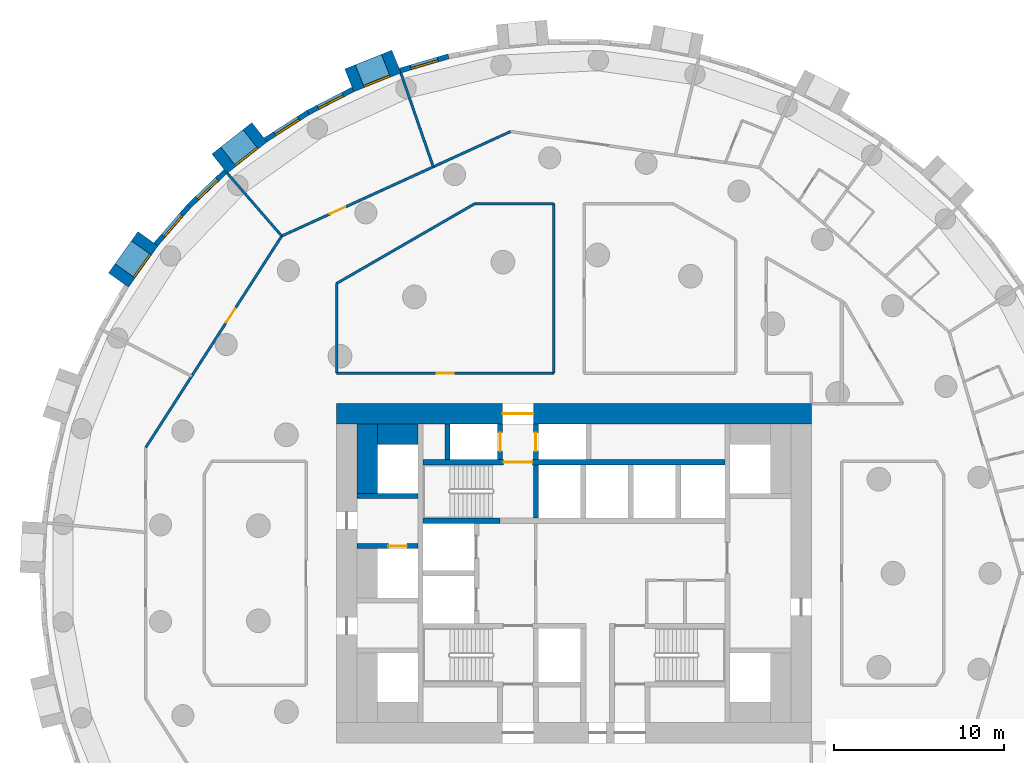
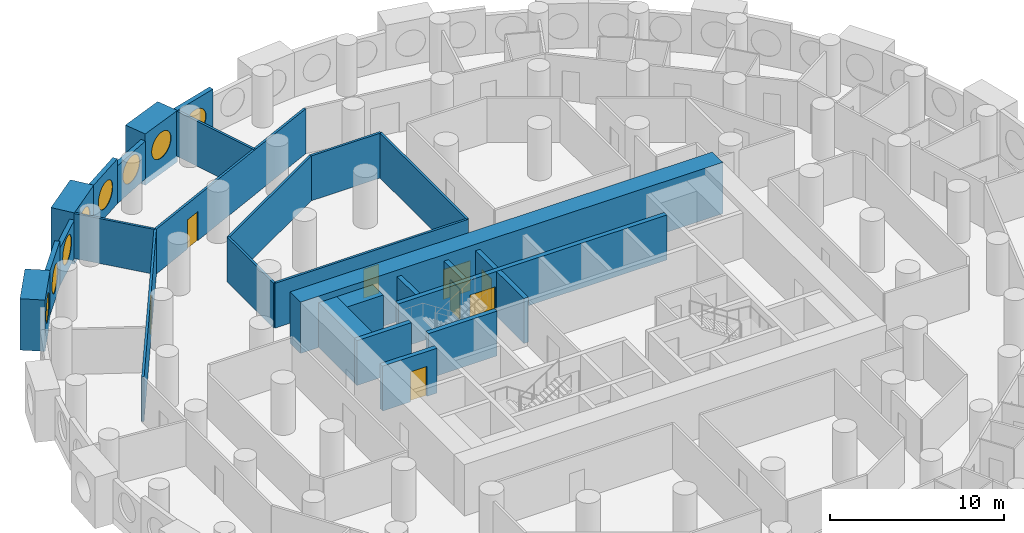
# One storey, part 7 of 12: 28 walls, 8 doors, 8 windows, 16 openings.
"""IFC4 building model written with IfcOpenShell, lengths in metres."""

import ifcopenshell
import ifcopenshell.guid

model = None  # the IFC model being written
_history = None  # IfcOwnerHistory: only IFC2X3 demands one
_inside = {}  # id of a spatial element -> (the spatial element, [elements in it])
_under = {}  # id of a project, library or spatial element -> (it, [spatial elements below it])
_declared = {}  # id of a project -> (the project, [libraries it declares])
_typed = {}  # id of a type object -> (the type object, [elements of that type])
_made_of = {}  # id of a material, layer set ... -> (it, [elements and type objects made of it])


def new_model(schema):
    """Start an empty IFC model of exactly this schema.

    Asked for "IFC4X3", IfcOpenShell would pick the latest addendum, in which some entities
    have other attributes; the version numbers below select the first issue.
    IFC2X3 requires an IfcOwnerHistory on every rooted entity: one is made here for all.
    """
    global model, _history
    if schema == "IFC4X3":
        model = ifcopenshell.file(schema_version=(4, 3, 0, 0))
    else:
        model = ifcopenshell.file(schema=schema)
    _inside.clear()
    _under.clear()
    _declared.clear()
    _typed.clear()
    _made_of.clear()
    _history = None
    if model.schema == "IFC2X3":
        org = make("IfcOrganization", Name="unknown")
        user = make(
            "IfcPersonAndOrganization",
            ThePerson=make("IfcPerson", FamilyName="unknown"),
            TheOrganization=org,
        )
        app = make(
            "IfcApplication",
            ApplicationDeveloper=org,
            Version="unknown",
            ApplicationFullName="unknown",
            ApplicationIdentifier="unknown",
        )
        _history = make(
            "IfcOwnerHistory",
            OwningUser=user,
            OwningApplication=app,
            ChangeAction="ADDED",
            CreationDate=0,
        )
    return model


def make(cls, **values):
    """One entity of the class cls with the attributes given. An attribute that is None is left unset."""
    return model.create_entity(
        cls, **{name: value for name, value in values.items() if value is not None}
    )


def rooted(cls, **values):
    """An entity with a GlobalId (a new one), such as an element, a storey or a relation."""
    return make(cls, GlobalId=ifcopenshell.guid.new(), OwnerHistory=_history, **values)


def si_unit(unit_type, name, prefix=None):
    """IfcSIUnit, for example si_unit("LENGTHUNIT", "METRE", prefix="MILLI")."""
    return make("IfcSIUnit", UnitType=unit_type, Prefix=prefix, Name=name)


def assignment(units):
    """IfcUnitAssignment: the units of a project."""
    return None if units is None else make("IfcUnitAssignment", Units=units)


def point(xyz):
    """IfcCartesianPoint."""
    return None if xyz is None else make("IfcCartesianPoint", Coordinates=xyz)


def direction(xyz):
    """IfcDirection."""
    return None if xyz is None else make("IfcDirection", DirectionRatios=xyz)


def frame(location, z_axis=None, x_axis=None):
    """IfcAxis2Placement3D, a coordinate frame: its origin and axes. An axis left out is left unset."""
    return make(
        "IfcAxis2Placement3D",
        Location=point(location),
        Axis=direction(z_axis),
        RefDirection=direction(x_axis),
    )


def frame_2d(location, x_axis=None):
    """IfcAxis2Placement2D, a coordinate frame in the plane: its origin and x axis."""
    return make(
        "IfcAxis2Placement2D", Location=point(location), RefDirection=direction(x_axis)
    )


def origin():
    """The frame at (0, 0, 0) with its axes left unset."""
    return frame((0.0, 0.0, 0.0))


def origin_2d():
    """The frame at (0, 0) in the plane with its x axis left unset."""
    return frame_2d((0.0, 0.0))


def place(relative_to, where):
    """IfcLocalPlacement: puts the frame where relative to a parent placement (None: the world)."""
    return make(
        "IfcLocalPlacement", PlacementRelTo=relative_to, RelativePlacement=where
    )


def context(
    kind, dimensions, precision=None, world=None, true_north=None, identifier=None
):
    """IfcGeometricRepresentationContext, for example the 3D "Model" context."""
    return make(
        "IfcGeometricRepresentationContext",
        ContextIdentifier=identifier,
        ContextType=kind,
        CoordinateSpaceDimension=dimensions,
        Precision=precision,
        WorldCoordinateSystem=world,
        TrueNorth=true_north,
    )


def subcontext(parent, identifier, kind, view, scale=None):
    """IfcGeometricRepresentationSubContext, for example "Body" below "Model"."""
    return make(
        "IfcGeometricRepresentationSubContext",
        ContextIdentifier=identifier,
        ContextType=kind,
        ParentContext=parent,
        TargetScale=scale,
        TargetView=view,
    )


def project(units=None, contexts=None):
    """IfcProject with its units and contexts."""
    return rooted(
        "IfcProject",
        Name="project",
        RepresentationContexts=contexts,
        UnitsInContext=assignment(units),
    )


def spatial(cls, under=None, at=None, **own):
    """A site, building, storey or space (cls), placed at a placement, below another one or the project."""
    s = rooted(cls, ObjectPlacement=at, **own)
    if under is not None:
        _under.setdefault(under.id(), (under, []))[1].append(s)
    return s


def profile(cls, at=None, kind="AREA", **sizes):
    """A parametric profile (cls). Its sizes go by their IFC names, for example OverallWidth=200.0."""
    return make(cls, ProfileType=kind, Position=at, **sizes)


def rectangle(**sizes):
    """IfcRectangleProfileDef."""
    return profile("IfcRectangleProfileDef", **sizes)


def circle(**sizes):
    """IfcCircleProfileDef."""
    return profile("IfcCircleProfileDef", **sizes)


def extrude(swept, where, along, depth):
    """IfcExtrudedAreaSolid: the profile swept, set in the frame where, extruded along a direction by depth."""
    return make(
        "IfcExtrudedAreaSolid",
        SweptArea=swept,
        Position=where,
        ExtrudedDirection=direction(along),
        Depth=depth,
    )


def shape(context_of_items, identifier, shape_type, items):
    """IfcShapeRepresentation: the items that make up one representation, for example the "Body"."""
    return make(
        "IfcShapeRepresentation",
        ContextOfItems=context_of_items,
        RepresentationIdentifier=identifier,
        RepresentationType=shape_type,
        Items=items,
    )


def material(Name=None, Category=None):
    """IfcMaterial."""
    return make("IfcMaterial", Name=Name, Category=Category)


def layer(
    of_material, thickness, ventilated=None, Name=None, Category=None, Priority=None
):
    """IfcMaterialLayer: one layer of a wall or slab, of a material (None: an air gap)."""
    return make(
        "IfcMaterialLayer",
        Material=of_material,
        LayerThickness=thickness,
        IsVentilated=ventilated,
        Name=Name,
        Category=Category,
        Priority=Priority,
    )


def layer_set(layers, Name=None):
    """IfcMaterialLayerSet."""
    return make("IfcMaterialLayerSet", MaterialLayers=layers, LayerSetName=Name)


def made_of(thing, what):
    """Note that an element or type object is made of a material, layer set ...; save() writes the relation."""
    if what is not None:
        _made_of.setdefault(what.id(), (what, []))[1].append(thing)
    return thing


def type_object(cls, material=None, **own):
    """A type object (cls), such as IfcWallType, which elements share."""
    return made_of(rooted(cls, **own), material)


def element(
    cls,
    number,
    at=None,
    inside=None,
    cuts=None,
    type_object=None,
    material=None,
    context=None,
    identifier="Body",
    shape_type=None,
    held_by="IfcProductDefinitionShape",
    body=None,
    shapes=None,
    **own,
):
    """One element of the class cls, such as IfcWall. Its Tag is "e" and its number.

    at: its placement. inside: the storey or other place that contains it. cuts: it is an
    opening in that element (IfcRelVoidsElement). A single representation is given by context,
    identifier, shape_type and body (its items); several are given by shapes. held_by: the class
    of the entity that holds the representations. save() writes the other relations.
    """
    e = rooted(cls, Tag="e%d" % number, ObjectPlacement=at, **own)
    if body is not None:
        shapes = [shape(context, identifier, shape_type, body)]
    if shapes is not None:
        e.Representation = make(held_by, Representations=shapes)
    if inside is not None:
        _inside.setdefault(inside.id(), (inside, []))[1].append(e)
    if cuts is not None:
        rooted(
            "IfcRelVoidsElement", RelatingBuildingElement=cuts, RelatedOpeningElement=e
        )
    if type_object is not None:
        _typed.setdefault(type_object.id(), (type_object, []))[1].append(e)
    return made_of(e, material)


def fill(opening, filler):
    """IfcRelFillsElement: the door or window that sits in an opening."""
    return rooted(
        "IfcRelFillsElement",
        RelatingOpeningElement=opening,
        RelatedBuildingElement=filler,
    )


def aggregate(whole, parts):
    """IfcRelAggregates: a whole, such as a stair, and the parts it consists of."""
    return rooted("IfcRelAggregates", RelatingObject=whole, RelatedObjects=parts)


def save(model, path):
    """Write the relations noted so far, then the file.

    IfcRelAggregates (storeys below a building ...), IfcRelContainedInSpatialStructure (elements
    in a storey), IfcRelDefinesByType, IfcRelAssociatesMaterial and IfcRelDeclares: one each for
    every whole, place, type object, material and project.
    """
    for whole, parts in _under.values():
        aggregate(whole, parts)
    for where, things in _inside.values():
        rooted(
            "IfcRelContainedInSpatialStructure",
            RelatedElements=things,
            RelatingStructure=where,
        )
    for kind, things in _typed.values():
        rooted("IfcRelDefinesByType", RelatedObjects=things, RelatingType=kind)
    for what, things in _made_of.values():
        rooted("IfcRelAssociatesMaterial", RelatedObjects=things, RelatingMaterial=what)
    for by, libraries in _declared.values():
        rooted("IfcRelDeclares", RelatingContext=by, RelatedDefinitions=libraries)
    model.write(path)


model = new_model("IFC4")

# Units and contexts
model_context = context("Model", 3, precision=1e-05, world=origin(), true_north=direction((0.0, 1.0)))
body_context = subcontext(model_context, "Body", "Model", "MODEL_VIEW")
ifc_project = project(units=[si_unit("LENGTHUNIT", "METRE"), si_unit("AREAUNIT", "SQUARE_METRE"), si_unit("VOLUMEUNIT", "CUBIC_METRE"), si_unit("PLANEANGLEUNIT", "RADIAN"), si_unit("MASSUNIT", "GRAM", prefix="KILO")], contexts=[model_context])

# Site, building, storey
site_placement = place(None, origin())
site = spatial("IfcSite", under=ifc_project, at=site_placement, CompositionType="ELEMENT")
building_placement = place(site_placement, origin())
building = spatial("IfcBuilding", under=site, at=building_placement, Name="Tracery Tower", CompositionType="ELEMENT")
storey_placement = place(building_placement, frame((0.0, 0.0, 78.60009765625)))
storey = spatial("IfcBuildingStorey", under=building, at=storey_placement, Name="L19", CompositionType="ELEMENT", Elevation=78.60009765625)

# Walls
ifc_material_1 = material(Name="Concrete C60/75", Category="concrete")
ifc_layer_1 = layer(ifc_material_1, 1.199951171875)
ifc_layer_set_1 = layer_set([ifc_layer_1], Name="Core strip wall 1200 C60")
wall_type_1 = type_object("IfcWallType", Name="Core strip wall 1200 C60", PredefinedType="SOLIDWALL", material=ifc_layer_set_1)
wall_1_placement = place(storey_placement, frame((-12.199951171875, 4.699951171875, 0.0), z_axis=(0.0, 0.0, 1.0), x_axis=(0.0, 1.0, 0.0)))
element("IfcWall", 1, at=wall_1_placement, inside=storey, type_object=wall_type_1, Name="L19 wing strip -1 4.55", PredefinedType="SOLIDWALL", context=body_context, shape_type="SweptSolid", body=[
    extrude(rectangle(XDim=4.10009765625, YDim=1.199951171875, at=frame_2d((2.050048828125, 0.0))), origin(), (0.0, 0.0, 1.0), 3.14990234375),
])
wall_2_placement = place(storey_placement, frame((-11.60009765625, 8.199951171875, 0.0), z_axis=(0.0, 0.0, 1.0), x_axis=(1.0, 0.0, 0.0)))
element("IfcWall", 2, at=wall_2_placement, inside=storey, type_object=wall_type_1, Name="L19 wing corner -1 +8.2", PredefinedType="SOLIDWALL", context=body_context, shape_type="SweptSolid", body=[
    extrude(rectangle(XDim=2.400146484375, YDim=1.199951171875, at=frame_2d((1.2001953125, 0.0))), origin(), (0.0, 0.0, 1.0), 3.14990234375),
])

# Wall, opening, door
ifc_material_2 = material(Name="Concrete C60/75", Category="concrete")
ifc_layer_2 = layer(ifc_material_2, 1.199951171875)
ifc_layer_set_2 = layer_set([ifc_layer_2], Name="Core wall 1200 C60")
wall_type_2 = type_object("IfcWallType", Name="Core wall 1200 C60", PredefinedType="SOLIDWALL", material=ifc_layer_set_2)
wall_3_placement = place(storey_placement, frame((-14.0, 9.39990234375, 0.0), z_axis=(0.0, 0.0, 1.0), x_axis=(1.0, 0.0, 0.0)))
wall_3 = element("IfcWall", 3, at=wall_3_placement, inside=storey, type_object=wall_type_2, Name="L19 outer N", PredefinedType="SOLIDWALL", context=body_context, shape_type="SweptSolid", body=[
    extrude(rectangle(XDim=28.0, YDim=1.199951171875, at=frame_2d((14.0, 0.0))), origin(), (0.0, 0.0, 1.0), 3.599853515625),
])
opening_1_placement = place(wall_3_placement, frame((9.800048828125, 0.0, 0.0)))
opening_1 = element("IfcOpeningElement", 4, at=opening_1_placement, cuts=wall_3, Name="Opening KD13", PredefinedType="OPENING", context=body_context, shape_type="SweptSolid", body=[
    extrude(rectangle(XDim=1.800048828125, YDim=2.10009765625, at=frame_2d((0.89990234375, 1.050048828125))), frame((0.0, 0.60009765625, 0.0), z_axis=(0.0, -1.0, 0.0), x_axis=(1.0, 0.0, 0.0)), (0.0, 0.0, 1.0), 1.199951171875),
])
ifc_material_3 = material(Name="Steel fire door", Category="steel")
door_type_1 = type_object("IfcDoorType", Name="Core exit door 1800 double", OperationType="NOTDEFINED", PredefinedType="DOOR", material=ifc_material_3)
door_1_placement = place(opening_1_placement, origin())
door_1 = element("IfcDoor", 5, at=door_1_placement, inside=storey, type_object=door_type_1, Name="Core exit door", OperationType="DOUBLE_DOOR_SINGLE_SWING", OverallHeight=2.10009765625, OverallWidth=1.800048828125, PredefinedType="DOOR", context=body_context, shape_type="SweptSolid", body=[
    extrude(rectangle(XDim=1.800048828125, YDim=2.10009765625, at=frame_2d((0.89990234375, 1.050048828125))), frame((0.0, 0.02490234375, 0.0), z_axis=(0.0, -1.0, 0.0), x_axis=(1.0, 0.0, 0.0)), (0.0, 0.0, 1.0), 0.050048828125),
])
fill(opening_1, door_1)

# Wall, opening, window
ifc_material_4 = material(Name="Precast concrete C50/60", Category="concrete")
ifc_layer_3 = layer(ifc_material_4, 1.449951171875)
ifc_layer_set_3 = layer_set([ifc_layer_3], Name="Deep-set bay unit 3000 x 3600, slab edge 450")
wall_type_3 = type_object("IfcWallType", Name="Deep-set bay unit 3000 x 3600, slab edge 450", PredefinedType="ELEMENTEDWALL", material=ifc_layer_set_3)
wall_4_placement = place(storey_placement, frame((-10.46875, 30.185302734375, -0.4501953125), z_axis=(0.0, 0.0, 1.0), x_axis=(-0.928358776184, -0.371685327504, 0.0)))
wall_4 = element("IfcWall", 6, at=wall_4_placement, inside=storey, type_object=wall_type_3, Name="Deep-set bay unit 21 at L19", PredefinedType="ELEMENTEDWALL", context=body_context, shape_type="SweptSolid", body=[
    extrude(rectangle(XDim=2.999755859375, YDim=1.449951171875, at=frame_2d((1.5, 0.0))), origin(), (0.0, 0.0, 1.0), 3.60009765625),
])
opening_2_placement = place(wall_4_placement, frame((1.5, 0.0, 2.0)))
opening_2 = element("IfcOpeningElement", 7, at=opening_2_placement, cuts=wall_4, Name="Opening WN1", PredefinedType="OPENING", context=body_context, shape_type="SweptSolid", body=[
    extrude(circle(Radius=0.9000244140625, at=origin_2d()), frame((0.0, 0.73486328125, 0.0), z_axis=(0.0, -1.0, 0.0), x_axis=(1.0, 0.0, 0.0)), (0.0, 0.0, 1.0), 1.469970703125),
])
ifc_material_5 = material(Name="Aluminium frame with tinted double glazing", Category="aluminium")
window_type = type_object("IfcWindowType", Name="Round window 1800", PartitioningType="SINGLE_PANEL", PredefinedType="WINDOW", material=ifc_material_5)
window_1_placement = place(opening_2_placement, origin())
window_1 = element("IfcWindow", 8, at=window_1_placement, inside=storey, type_object=window_type, Name="Round window 21 at L19", OverallHeight=1.800048828125, OverallWidth=1.800048828125, PartitioningType="SINGLE_PANEL", PredefinedType="WINDOW", context=body_context, shape_type="SweptSolid", body=[
    extrude(circle(Radius=0.9000244140625, at=origin_2d()), frame((0.0, 0.69482421875, 0.0), z_axis=(0.0, -1.0, 0.0), x_axis=(1.0, 0.0, 0.0)), (0.0, 0.0, 1.0), 0.10009765625),
])
fill(opening_2, window_1)

wall_5_placement = place(storey_placement, frame((-18.548828125, 26.01318359375, -0.4501953125), z_axis=(0.0, 0.0, 1.0), x_axis=(-0.786049992888, -0.618162930529, 0.0)))
wall_5 = element("IfcWall", 9, at=wall_5_placement, inside=storey, type_object=wall_type_3, Name="Deep-set bay unit 24 at L19", PredefinedType="ELEMENTEDWALL", context=body_context, shape_type="SweptSolid", body=[
    extrude(rectangle(XDim=3.0, YDim=1.449951171875, at=frame_2d((1.5, 0.0))), origin(), (0.0, 0.0, 1.0), 3.60009765625),
])
opening_3_placement = place(wall_5_placement, frame((1.5, 0.0, 2.0)))
opening_3 = element("IfcOpeningElement", 10, at=opening_3_placement, cuts=wall_5, Name="Opening WN1", PredefinedType="OPENING", context=body_context, shape_type="SweptSolid", body=[
    extrude(circle(Radius=0.9000244140625, at=origin_2d()), frame((0.0, 0.73486328125, 0.0), z_axis=(0.0, -1.0, 0.0), x_axis=(1.0, 0.0, 0.0)), (0.0, 0.0, 1.0), 1.469970703125),
])
window_2_placement = place(opening_3_placement, origin())
window_2 = element("IfcWindow", 11, at=window_2_placement, inside=storey, type_object=window_type, Name="Round window 24 at L19", OverallHeight=1.800048828125, OverallWidth=1.800048828125, PartitioningType="SINGLE_PANEL", PredefinedType="WINDOW", context=body_context, shape_type="SweptSolid", body=[
    extrude(circle(Radius=0.9000244140625, at=origin_2d()), frame((0.0, 0.69482421875, 0.0), z_axis=(0.0, -1.0, 0.0), x_axis=(1.0, 0.0, 0.0)), (0.0, 0.0, 1.0), 0.10009765625),
])
fill(opening_3, window_2)

wall_6_placement = place(storey_placement, frame((-25.126220703125, 19.733642578125, -0.4501953125), z_axis=(0.0, 0.0, 1.0), x_axis=(-0.580090570606, -0.814551981088, 0.0)))
wall_6 = element("IfcWall", 12, at=wall_6_placement, inside=storey, type_object=wall_type_3, Name="Deep-set bay unit 27 at L19", PredefinedType="ELEMENTEDWALL", context=body_context, shape_type="SweptSolid", body=[
    extrude(rectangle(XDim=3.0, YDim=1.449951171875, at=frame_2d((1.5, 0.0))), origin(), (0.0, 0.0, 1.0), 3.60009765625),
])
opening_4_placement = place(wall_6_placement, frame((1.5, 0.0, 2.0)))
opening_4 = element("IfcOpeningElement", 13, at=opening_4_placement, cuts=wall_6, Name="Opening WN1", PredefinedType="OPENING", context=body_context, shape_type="SweptSolid", body=[
    extrude(circle(Radius=0.9000244140625, at=origin_2d()), frame((0.0, 0.73486328125, 0.0), z_axis=(0.0, -1.0, 0.0), x_axis=(1.0, 0.0, 0.0)), (0.0, 0.0, 1.0), 1.469970703125),
])
window_3_placement = place(opening_4_placement, origin())
window_3 = element("IfcWindow", 14, at=window_3_placement, inside=storey, type_object=window_type, Name="Round window 27 at L19", OverallHeight=1.800048828125, OverallWidth=1.800048828125, PartitioningType="SINGLE_PANEL", PredefinedType="WINDOW", context=body_context, shape_type="SweptSolid", body=[
    extrude(circle(Radius=0.9000244140625, at=origin_2d()), frame((0.0, 0.69482421875, 0.0), z_axis=(0.0, -1.0, 0.0), x_axis=(1.0, 0.0, 0.0)), (0.0, 0.0, 1.0), 0.10009765625),
])
fill(opening_4, window_3)

ifc_material_6 = material(Name="Precast concrete C50/60", Category="concrete")
ifc_layer_4 = layer(ifc_material_6, 0.300048828125)
ifc_layer_set_4 = layer_set([ifc_layer_4], Name="Facade panel 3000 x 2650")
wall_type_4 = type_object("IfcWallType", Name="Facade panel 3000 x 2650", PredefinedType="SOLIDWALL", material=ifc_layer_set_4)
wall_7_placement = place(storey_placement, frame((-13.038818359375, 28.536376953125, 0.0), z_axis=(0.0, 0.0, 1.0), x_axis=(-0.888853225096, -0.4581920386, 0.0)))
wall_7 = element("IfcWall", 15, at=wall_7_placement, inside=storey, type_object=wall_type_4, Name="Facade panel 22 at L19", PredefinedType="SOLIDWALL", context=body_context, shape_type="SweptSolid", body=[
    extrude(rectangle(XDim=2.9794921875, YDim=0.300048828125, at=frame_2d((1.48974609375, 0.0))), origin(), (0.0, 0.0, 1.0), 2.64990234375),
])
opening_5_placement = place(wall_7_placement, frame((1.48974609375, 0.0, 1.5498046875)))
opening_5 = element("IfcOpeningElement", 16, at=opening_5_placement, cuts=wall_7, Name="Opening WN1", PredefinedType="OPENING", context=body_context, shape_type="SweptSolid", body=[
    extrude(circle(Radius=0.9000244140625, at=origin_2d()), frame((0.0, 0.159912109375, 0.0), z_axis=(0.0, -1.0, 0.0), x_axis=(1.0, 0.0, 0.0)), (0.0, 0.0, 1.0), 0.320068359375),
])
window_4_placement = place(opening_5_placement, origin())
window_4 = element("IfcWindow", 17, at=window_4_placement, inside=storey, type_object=window_type, Name="Round window 22 at L19", OverallHeight=1.800048828125, OverallWidth=1.800048828125, PartitioningType="SINGLE_PANEL", PredefinedType="WINDOW", context=body_context, shape_type="SweptSolid", body=[
    extrude(circle(Radius=0.9000244140625, at=origin_2d()), frame((0.0, 0.1201171875, 0.0), z_axis=(0.0, -1.0, 0.0), x_axis=(1.0, 0.0, 0.0)), (0.0, 0.0, 1.0), 0.10009765625),
])
fill(opening_5, window_4)

wall_8_placement = place(storey_placement, frame((-20.55029296875, 23.70703125, 0.0), z_axis=(0.0, 0.0, 1.0), x_axis=(-0.723744206617, -0.690068346896, 0.0)))
wall_8 = element("IfcWall", 18, at=wall_8_placement, inside=storey, type_object=wall_type_4, Name="Facade panel 25 at L19", PredefinedType="SOLIDWALL", context=body_context, shape_type="SweptSolid", body=[
    extrude(rectangle(XDim=2.979736328125, YDim=0.300048828125, at=frame_2d((1.48974609375, 0.0))), origin(), (0.0, 0.0, 1.0), 2.64990234375),
])
opening_6_placement = place(wall_8_placement, frame((1.48974609375, 0.0, 1.5498046875)))
opening_6 = element("IfcOpeningElement", 19, at=opening_6_placement, cuts=wall_8, Name="Opening WN1", PredefinedType="OPENING", context=body_context, shape_type="SweptSolid", body=[
    extrude(circle(Radius=0.9000244140625, at=origin_2d()), frame((0.0, 0.159912109375, 0.0), z_axis=(0.0, -1.0, 0.0), x_axis=(1.0, 0.0, 0.0)), (0.0, 0.0, 1.0), 0.320068359375),
])
window_5_placement = place(opening_6_placement, origin())
window_5 = element("IfcWindow", 20, at=window_5_placement, inside=storey, type_object=window_type, Name="Round window 25 at L19", OverallHeight=1.800048828125, OverallWidth=1.800048828125, PartitioningType="SINGLE_PANEL", PredefinedType="WINDOW", context=body_context, shape_type="SweptSolid", body=[
    extrude(circle(Radius=0.9000244140625, at=origin_2d()), frame((0.0, 0.1201171875, 0.0), z_axis=(0.0, -1.0, 0.0), x_axis=(1.0, 0.0, 0.0)), (0.0, 0.0, 1.0), 0.10009765625),
])
fill(opening_6, window_5)

ifc_material_7 = material(Name="Precast concrete C50/60", Category="concrete")
ifc_layer_5 = layer(ifc_material_7, 0.300048828125)
ifc_layer_set_5 = layer_set([ifc_layer_5], Name="Facade panel 3000 x 3150")
wall_type_5 = type_object("IfcWallType", Name="Facade panel 3000 x 3150", PredefinedType="SOLIDWALL", material=ifc_layer_set_5)
wall_9_placement = place(storey_placement, frame((-7.396728515625, 30.489990234375, 0.0), z_axis=(0.0, 0.0, 1.0), x_axis=(-0.959507586834, -0.28168278401, 0.0)))
wall_9 = element("IfcWall", 21, at=wall_9_placement, inside=storey, type_object=wall_type_5, Name="Facade panel 20 at L19", PredefinedType="SOLIDWALL", context=body_context, shape_type="SweptSolid", body=[
    extrude(rectangle(XDim=2.979736328125, YDim=0.300048828125, at=frame_2d((1.48974609375, 0.0))), origin(), (0.0, 0.0, 1.0), 3.14990234375),
])
opening_7_placement = place(wall_9_placement, frame((1.48974609375, 0.0, 1.5498046875)))
opening_7 = element("IfcOpeningElement", 22, at=opening_7_placement, cuts=wall_9, Name="Opening WN1", PredefinedType="OPENING", context=body_context, shape_type="SweptSolid", body=[
    extrude(circle(Radius=0.9000244140625, at=origin_2d()), frame((0.0, 0.159912109375, 0.0), z_axis=(0.0, -1.0, 0.0), x_axis=(1.0, 0.0, 0.0)), (0.0, 0.0, 1.0), 0.320068359375),
])
window_6_placement = place(opening_7_placement, origin())
window_6 = element("IfcWindow", 23, at=window_6_placement, inside=storey, type_object=window_type, Name="Round window 20 at L19", OverallHeight=1.800048828125, OverallWidth=1.800048828125, PartitioningType="SINGLE_PANEL", PredefinedType="WINDOW", context=body_context, shape_type="SweptSolid", body=[
    extrude(circle(Radius=0.9000244140625, at=origin_2d()), frame((0.0, 0.1201171875, 0.0), z_axis=(0.0, -1.0, 0.0), x_axis=(1.0, 0.0, 0.0)), (0.0, 0.0, 1.0), 0.10009765625),
])
fill(opening_7, window_6)

wall_10_placement = place(storey_placement, frame((-15.687255859375, 27.171142578125, 0.0), z_axis=(0.0, 0.0, 1.0), x_axis=(-0.84122372879, -0.540687190639, 0.0)))
wall_10 = element("IfcWall", 24, at=wall_10_placement, inside=storey, type_object=wall_type_5, Name="Facade panel 23 at L19", PredefinedType="SOLIDWALL", context=body_context, shape_type="SweptSolid", body=[
    extrude(rectangle(XDim=2.979736328125, YDim=0.300048828125, at=frame_2d((1.48974609375, 0.0))), origin(), (0.0, 0.0, 1.0), 3.14990234375),
])
opening_8_placement = place(wall_10_placement, frame((1.48974609375, 0.0, 1.5498046875)))
opening_8 = element("IfcOpeningElement", 25, at=opening_8_placement, cuts=wall_10, Name="Opening WN1", PredefinedType="OPENING", context=body_context, shape_type="SweptSolid", body=[
    extrude(circle(Radius=0.9000244140625, at=origin_2d()), frame((0.0, 0.159912109375, 0.0), z_axis=(0.0, -1.0, 0.0), x_axis=(1.0, 0.0, 0.0)), (0.0, 0.0, 1.0), 0.320068359375),
])
window_7_placement = place(opening_8_placement, origin())
window_7 = element("IfcWindow", 26, at=window_7_placement, inside=storey, type_object=window_type, Name="Round window 23 at L19", OverallHeight=1.800048828125, OverallWidth=1.800048828125, PartitioningType="SINGLE_PANEL", PredefinedType="WINDOW", context=body_context, shape_type="SweptSolid", body=[
    extrude(circle(Radius=0.9000244140625, at=origin_2d()), frame((0.0, 0.1201171875, 0.0), z_axis=(0.0, -1.0, 0.0), x_axis=(1.0, 0.0, 0.0)), (0.0, 0.0, 1.0), 0.10009765625),
])
fill(opening_8, window_7)

wall_11_placement = place(storey_placement, frame((-22.706787109375, 21.65087890625, 0.0), z_axis=(0.0, 0.0, 1.0), x_axis=(-0.654830712471, -0.755775587066, 0.0)))
wall_11 = element("IfcWall", 27, at=wall_11_placement, inside=storey, type_object=wall_type_5, Name="Facade panel 26 at L19", PredefinedType="SOLIDWALL", context=body_context, shape_type="SweptSolid", body=[
    extrude(rectangle(XDim=2.979736328125, YDim=0.300048828125, at=frame_2d((1.48974609375, 0.0))), origin(), (0.0, 0.0, 1.0), 3.14990234375),
])
opening_9_placement = place(wall_11_placement, frame((1.48974609375, 0.0, 1.5498046875)))
opening_9 = element("IfcOpeningElement", 28, at=opening_9_placement, cuts=wall_11, Name="Opening WN1", PredefinedType="OPENING", context=body_context, shape_type="SweptSolid", body=[
    extrude(circle(Radius=0.9000244140625, at=origin_2d()), frame((0.0, 0.159912109375, 0.0), z_axis=(0.0, -1.0, 0.0), x_axis=(1.0, 0.0, 0.0)), (0.0, 0.0, 1.0), 0.320068359375),
])
window_8_placement = place(opening_9_placement, origin())
window_8 = element("IfcWindow", 29, at=window_8_placement, inside=storey, type_object=window_type, Name="Round window 26 at L19", OverallHeight=1.800048828125, OverallWidth=1.800048828125, PartitioningType="SINGLE_PANEL", PredefinedType="WINDOW", context=body_context, shape_type="SweptSolid", body=[
    extrude(circle(Radius=0.9000244140625, at=origin_2d()), frame((0.0, 0.1201171875, 0.0), z_axis=(0.0, -1.0, 0.0), x_axis=(1.0, 0.0, 0.0)), (0.0, 0.0, 1.0), 0.10009765625),
])
fill(opening_9, window_8)

# Walls
ifc_material_8 = material(Name="Plasterboard on steel studs", Category="steel")
ifc_layer_6 = layer(ifc_material_8, 0.14990234375)
ifc_layer_set_6 = layer_set([ifc_layer_6], Name="Partition 150 acoustic unit wall")
wall_type_6 = type_object("IfcWallType", Name="Partition 150 acoustic unit wall", PredefinedType="PARTITIONING", material=ifc_layer_set_6)
wall_12_placement = place(storey_placement, frame((-10.2119140625, 29.507080078125, 0.0), z_axis=(0.0, 0.0, 1.0), x_axis=(0.32692444056, -0.94505048022, 0.0)))
element("IfcWall", 30, at=wall_12_placement, inside=storey, type_object=wall_type_6, Name="Unit wall RA5-080", PredefinedType="PARTITIONING", context=body_context, shape_type="SweptSolid", body=[
    extrude(rectangle(XDim=5.85693359375, YDim=0.14990234375, at=frame_2d((2.928466796875, 0.0))), origin(), (0.0, 0.0, 1.0), 3.14990234375),
])
wall_13_placement = place(storey_placement, frame((-20.447998046875, 23.597900390625, 0.0), z_axis=(0.0, 0.0, 1.0), x_axis=(0.654847179409, -0.755761319214, 0.0)))
element("IfcWall", 31, at=wall_13_placement, inside=storey, type_object=wall_type_6, Name="Unit wall RA5-081", PredefinedType="PARTITIONING", context=body_context, shape_type="SweptSolid", body=[
    extrude(rectangle(XDim=4.90625, YDim=0.14990234375, at=frame_2d((2.453125, 0.0))), origin(), (0.0, 0.0, 1.0), 3.14990234375),
])

# Wall, opening, door
ifc_material_9 = material(Name="Plasterboard on steel studs", Category="steel")
ifc_layer_7 = layer(ifc_material_9, 0.14990234375)
ifc_layer_set_7 = layer_set([ifc_layer_7], Name="Partition 150 corridor wall")
wall_type_7 = type_object("IfcWallType", Name="Partition 150 corridor wall", PredefinedType="PARTITIONING", material=ifc_layer_set_7)
wall_14_placement = place(storey_placement, frame((-14.00390625, 11.800048828125, 0.0), z_axis=(0.0, 0.0, 1.0), x_axis=(1.0, 0.0, 0.0)))
wall_14 = element("IfcWall", 32, at=wall_14_placement, inside=storey, type_object=wall_type_7, Name="Corridor wall RA5-001", PredefinedType="PARTITIONING", context=body_context, shape_type="SweptSolid", body=[
    extrude(rectangle(XDim=12.81591796875, YDim=0.14990234375, at=frame_2d((6.407958984375, 0.0))), origin(), (0.0, 0.0, 1.0), 3.14990234375),
])
opening_10_placement = place(wall_14_placement, frame((5.907958984375, 0.0, 0.0)))
opening_10 = element("IfcOpeningElement", 33, at=opening_10_placement, cuts=wall_14, Name="Opening RA5-01", PredefinedType="OPENING", context=body_context, shape_type="SweptSolid", body=[
    extrude(rectangle(XDim=1.0, YDim=2.0400390625, at=frame_2d((0.5, 1.02001953125))), frame((0.0, 0.074951171875, 0.0), z_axis=(0.0, -1.0, 0.0), x_axis=(1.0, 0.0, 0.0)), (0.0, 0.0, 1.0), 0.14990234375),
])
ifc_material_10 = material(Name="Timber door leaf", Category="wood")
door_type_2 = type_object("IfcDoorType", Name="Door communal room 1000", OperationType="NOTDEFINED", PredefinedType="DOOR", material=ifc_material_10)
door_2_placement = place(opening_10_placement, origin())
door_2 = element("IfcDoor", 34, at=door_2_placement, inside=storey, type_object=door_type_2, Name="Communal room door RA5-01", OperationType="SINGLE_SWING_RIGHT", OverallHeight=2.0400390625, OverallWidth=1.0, PredefinedType="DOOR", context=body_context, shape_type="SweptSolid", body=[
    extrude(rectangle(XDim=1.0, YDim=2.0400390625, at=frame_2d((0.5, 1.02001953125))), frame((0.0, 0.02490234375, 0.0), z_axis=(0.0, -1.0, 0.0), x_axis=(1.0, 0.0, 0.0)), (0.0, 0.0, 1.0), 0.050048828125),
])
fill(opening_10, door_2)

# Walls
wall_15_placement = place(storey_placement, frame((-1.19189453125, 11.800048828125, 0.0), z_axis=(0.0, 0.0, 1.0), x_axis=(0.0, 1.0, 0.0)))
element("IfcWall", 35, at=wall_15_placement, inside=storey, type_object=wall_type_7, Name="Corridor wall RA5-024", PredefinedType="PARTITIONING", context=body_context, shape_type="SweptSolid", body=[
    extrude(rectangle(XDim=10.001953125, YDim=0.14990234375, at=frame_2d((5.0009765625, 0.0))), origin(), (0.0, 0.0, 1.0), 3.14990234375),
])
wall_16_placement = place(storey_placement, frame((-5.842041015625, 21.802001953125, 0.0), z_axis=(0.0, 0.0, 1.0), x_axis=(1.0, 0.0, 0.0)))
element("IfcWall", 36, at=wall_16_placement, inside=storey, type_object=wall_type_7, Name="Corridor wall RA5-025", PredefinedType="PARTITIONING", context=body_context, shape_type="SweptSolid", body=[
    extrude(rectangle(XDim=4.650146484375, YDim=0.14990234375, at=frame_2d((2.3251953125, 0.0))), origin(), (0.0, 0.0, 1.0), 3.14990234375),
])
wall_17_placement = place(storey_placement, frame((-14.0, 17.092041015625, 0.0), z_axis=(0.0, 0.0, 1.0), x_axis=(0.86602719091, 0.499996904595, 0.0)))
element("IfcWall", 37, at=wall_17_placement, inside=storey, type_object=wall_type_7, Name="Corridor wall RA5-026", PredefinedType="PARTITIONING", context=body_context, shape_type="SweptSolid", body=[
    extrude(rectangle(XDim=9.419921875, YDim=0.14990234375, at=frame_2d((4.7099609375, 0.0))), origin(), (0.0, 0.0, 1.0), 3.14990234375),
])
wall_18_placement = place(storey_placement, frame((-14.0, 11.800048828125, 0.0), z_axis=(0.0, 0.0, 1.0), x_axis=(0.0, 1.0, 0.0)))
element("IfcWall", 38, at=wall_18_placement, inside=storey, type_object=wall_type_7, Name="Corridor wall RA5-027", PredefinedType="PARTITIONING", context=body_context, shape_type="SweptSolid", body=[
    extrude(rectangle(XDim=5.2919921875, YDim=0.14990234375, at=frame_2d((2.64599609375, 0.0))), origin(), (0.0, 0.0, 1.0), 3.14990234375),
])

# Wall, opening, door
wall_19_placement = place(storey_placement, frame((-17.235595703125, 19.89111328125, 0.0), z_axis=(0.0, 0.0, 1.0), x_axis=(0.909645678785, 0.415385049163, 0.0)))
wall_19 = element("IfcWall", 39, at=wall_19_placement, inside=storey, type_object=wall_type_7, Name="Corridor wall RA5-035", PredefinedType="PARTITIONING", context=body_context, shape_type="SweptSolid", body=[
    extrude(rectangle(XDim=14.829345703125, YDim=0.14990234375, at=frame_2d((7.41455078125, 0.0))), origin(), (0.0, 0.0, 1.0), 3.14990234375),
])
opening_11_placement = place(wall_19_placement, frame((3.114990234375, 0.0, 0.0)))
opening_11 = element("IfcOpeningElement", 40, at=opening_11_placement, cuts=wall_19, Name="Opening RA5-25", PredefinedType="OPENING", context=body_context, shape_type="SweptSolid", body=[
    extrude(rectangle(XDim=1.0, YDim=2.0400390625, at=frame_2d((0.5, 1.02001953125))), frame((0.0, 0.074951171875, 0.0), z_axis=(0.0, -1.0, 0.0), x_axis=(1.0, 0.0, 0.0)), (0.0, 0.0, 1.0), 0.14990234375),
])
door_3_placement = place(opening_11_placement, origin())
door_3 = element("IfcDoor", 41, at=door_3_placement, inside=storey, type_object=door_type_2, Name="Communal room door RA5-25", OperationType="SINGLE_SWING_LEFT", OverallHeight=2.0400390625, OverallWidth=1.0, PredefinedType="DOOR", context=body_context, shape_type="SweptSolid", body=[
    extrude(rectangle(XDim=1.0, YDim=2.0400390625, at=frame_2d((0.5, 1.02001953125))), frame((0.0, 0.02490234375, 0.0), z_axis=(0.0, -1.0, 0.0), x_axis=(1.0, 0.0, 0.0)), (0.0, 0.0, 1.0), 0.050048828125),
])
fill(opening_11, door_3)

wall_20_placement = place(storey_placement, frame((-25.2548828125, 7.416259765625, 0.0), z_axis=(0.0, 0.0, 1.0), x_axis=(0.540805851332, 0.841147449123, 0.0)))
wall_20 = element("IfcWall", 42, at=wall_20_placement, inside=storey, type_object=wall_type_7, Name="Corridor wall RA5-036", PredefinedType="PARTITIONING", context=body_context, shape_type="SweptSolid", body=[
    extrude(rectangle(XDim=14.829345703125, YDim=0.14990234375, at=frame_2d((7.41455078125, 0.0))), origin(), (0.0, 0.0, 1.0), 3.14990234375),
])
opening_12_placement = place(wall_20_placement, frame((8.75390625, 0.0, 0.0)))
opening_12 = element("IfcOpeningElement", 43, at=opening_12_placement, cuts=wall_20, Name="Opening RA5-26", PredefinedType="OPENING", context=body_context, shape_type="SweptSolid", body=[
    extrude(rectangle(XDim=1.0, YDim=2.0400390625, at=frame_2d((0.5, 1.02001953125))), frame((0.0, 0.074951171875, 0.0), z_axis=(0.0, -1.0, 0.0), x_axis=(1.0, 0.0, 0.0)), (0.0, 0.0, 1.0), 0.14990234375),
])
door_4_placement = place(opening_12_placement, origin())
door_4 = element("IfcDoor", 44, at=door_4_placement, inside=storey, type_object=door_type_2, Name="Communal room door RA5-26", OperationType="SINGLE_SWING_RIGHT", OverallHeight=2.0400390625, OverallWidth=1.0, PredefinedType="DOOR", context=body_context, shape_type="SweptSolid", body=[
    extrude(rectangle(XDim=1.0, YDim=2.0400390625, at=frame_2d((0.5, 1.02001953125))), frame((0.0, 0.02490234375, 0.0), z_axis=(0.0, -1.0, 0.0), x_axis=(1.0, 0.0, 0.0)), (0.0, 0.0, 1.0), 0.050048828125),
])
fill(opening_12, door_4)

# Wall
ifc_material_11 = material(Name="Concrete C60/75", Category="concrete")
ifc_layer_8 = layer(ifc_material_11, 0.300048828125)
ifc_layer_set_8 = layer_set([ifc_layer_8], Name="Shaft wall 300 C60")
wall_type_8 = type_object("IfcWallType", Name="Shaft wall 300 C60", PredefinedType="SOLIDWALL", material=ifc_layer_set_8)
wall_21_placement = place(storey_placement, frame((-7.449951171875, 6.699951171875, 0.0), z_axis=(0.0, 0.0, 1.0), x_axis=(0.0, 1.0, 0.0)))
element("IfcWall", 45, at=wall_21_placement, inside=storey, type_object=wall_type_8, Name="L19 LR sep -7.45", PredefinedType="SOLIDWALL", context=body_context, shape_type="SweptSolid", body=[
    extrude(rectangle(XDim=2.10009765625, YDim=0.300048828125, at=frame_2d((1.050048828125, 0.0))), origin(), (0.0, 0.0, 1.0), 3.14990234375),
])

# Wall, opening, door
wall_22_placement = place(storey_placement, frame((-4.35009765625, 6.699951171875, 0.0), z_axis=(0.0, 0.0, 1.0), x_axis=(0.0, 1.0, 0.0)))
wall_22 = element("IfcWall", 46, at=wall_22_placement, inside=storey, type_object=wall_type_8, Name="L19 LR sep -4.35", PredefinedType="SOLIDWALL", context=body_context, shape_type="SweptSolid", body=[
    extrude(rectangle(XDim=2.10009765625, YDim=0.300048828125, at=frame_2d((1.050048828125, 0.0))), origin(), (0.0, 0.0, 1.0), 3.14990234375),
])
opening_13_placement = place(wall_22_placement, frame((0.5, 0.0, 0.0)))
opening_13 = element("IfcOpeningElement", 47, at=opening_13_placement, cuts=wall_22, Name="Opening KD50", PredefinedType="OPENING", context=body_context, shape_type="SweptSolid", body=[
    extrude(rectangle(XDim=1.10009765625, YDim=2.10009765625, at=frame_2d((0.550048828125, 1.050048828125))), frame((0.0, 0.14990234375, 0.0), z_axis=(0.0, -1.0, 0.0), x_axis=(1.0, 0.0, 0.0)), (0.0, 0.0, 1.0), 0.300048828125),
])
ifc_material_12 = material(Name="Steel fire door", Category="steel")
door_type_3 = type_object("IfcDoorType", Name="Landing door 1100", OperationType="NOTDEFINED", PredefinedType="DOOR", material=ifc_material_12)
door_5_placement = place(opening_13_placement, origin())
door_5 = element("IfcDoor", 48, at=door_5_placement, inside=storey, type_object=door_type_3, Name="Landing door LR3", OperationType="SLIDING_TO_RIGHT", OverallHeight=2.10009765625, OverallWidth=1.10009765625, PredefinedType="DOOR", context=body_context, shape_type="SweptSolid", body=[
    extrude(rectangle(XDim=1.10009765625, YDim=2.10009765625, at=frame_2d((0.550048828125, 1.050048828125))), frame((0.0, 0.02490234375, 0.0), z_axis=(0.0, -1.0, 0.0), x_axis=(1.0, 0.0, 0.0)), (0.0, 0.0, 1.0), 0.050048828125),
])
fill(opening_13, door_5)

# Wall
wall_23_placement = place(storey_placement, frame((-12.800048828125, 4.550048828125, 0.0), z_axis=(0.0, 0.0, 1.0), x_axis=(1.0, 0.0, 0.0)))
element("IfcWall", 49, at=wall_23_placement, inside=storey, type_object=wall_type_8, Name="L19 wing shaft wall -1 +4.55", PredefinedType="SOLIDWALL", context=body_context, shape_type="SweptSolid", body=[
    extrude(rectangle(XDim=3.60009765625, YDim=0.300048828125, at=frame_2d((1.800048828125, 0.0))), origin(), (0.0, 0.0, 1.0), 3.14990234375),
])

# Wall, opening, door
wall_24_placement = place(storey_placement, frame((-12.800048828125, 1.60009765625, 0.0), z_axis=(0.0, 0.0, 1.0), x_axis=(1.0, 0.0, 0.0)))
wall_24 = element("IfcWall", 50, at=wall_24_placement, inside=storey, type_object=wall_type_8, Name="L19 wing shaft wall -1 +1.60", PredefinedType="SOLIDWALL", context=body_context, shape_type="SweptSolid", body=[
    extrude(rectangle(XDim=3.60009765625, YDim=0.300048828125, at=frame_2d((1.800048828125, 0.0))), origin(), (0.0, 0.0, 1.0), 3.14990234375),
])
opening_14_placement = place(wall_24_placement, frame((1.85009765625, 0.0, 0.0)))
opening_14 = element("IfcOpeningElement", 51, at=opening_14_placement, cuts=wall_24, Name="Opening KD50", PredefinedType="OPENING", context=body_context, shape_type="SweptSolid", body=[
    extrude(rectangle(XDim=1.10009765625, YDim=2.10009765625, at=frame_2d((0.550048828125, 1.050048828125))), frame((0.0, 0.14990234375, 0.0), z_axis=(0.0, -1.0, 0.0), x_axis=(1.0, 0.0, 0.0)), (0.0, 0.0, 1.0), 0.300048828125),
])
door_6_placement = place(opening_14_placement, origin())
door_6 = element("IfcDoor", 52, at=door_6_placement, inside=storey, type_object=door_type_3, Name="Landing door LR1", OperationType="SLIDING_TO_RIGHT", OverallHeight=2.10009765625, OverallWidth=1.10009765625, PredefinedType="DOOR", context=body_context, shape_type="SweptSolid", body=[
    extrude(rectangle(XDim=1.10009765625, YDim=2.10009765625, at=frame_2d((0.550048828125, 1.050048828125))), frame((0.0, 0.02490234375, 0.0), z_axis=(0.0, -1.0, 0.0), x_axis=(1.0, 0.0, 0.0)), (0.0, 0.0, 1.0), 0.050048828125),
])
fill(opening_14, door_6)

# Walls
ifc_material_13 = material(Name="Concrete C60/75", Category="concrete")
ifc_layer_9 = layer(ifc_material_13, 0.300048828125)
ifc_layer_set_9 = layer_set([ifc_layer_9], Name="Stair wall 300 C60")
wall_type_9 = type_object("IfcWallType", Name="Stair wall 300 C60", PredefinedType="SOLIDWALL", material=ifc_layer_set_9)
wall_25_placement = place(storey_placement, frame((-8.89990234375, 3.10009765625, 0.0), z_axis=(0.0, 0.0, 1.0), x_axis=(1.0, 0.0, 0.0)))
element("IfcWall", 53, at=wall_25_placement, inside=storey, type_object=wall_type_9, Name="L19 row N W", PredefinedType="SOLIDWALL", context=body_context, shape_type="SweptSolid", body=[
    extrude(rectangle(XDim=4.5498046875, YDim=0.300048828125, at=frame_2d((2.27490234375, 0.0))), origin(), (0.0, 0.0, 1.0), 3.14990234375),
])
wall_26_placement = place(storey_placement, frame((-2.25, 3.25, 0.0), z_axis=(0.0, 0.0, 1.0), x_axis=(0.0, 1.0, 0.0)))
element("IfcWall", 54, at=wall_26_placement, inside=storey, type_object=wall_type_9, Name="L19 ST3 E", PredefinedType="SOLIDWALL", context=body_context, shape_type="SweptSolid", body=[
    extrude(rectangle(XDim=3.14990234375, YDim=0.300048828125, at=frame_2d((1.574951171875, 0.0))), origin(), (0.0, 0.0, 1.0), 3.14990234375),
])

# Wall, opening, door
wall_27_placement = place(storey_placement, frame((-8.89990234375, 6.550048828125, 0.0), z_axis=(0.0, 0.0, 1.0), x_axis=(1.0, 0.0, 0.0)))
wall_27 = element("IfcWall", 55, at=wall_27_placement, inside=storey, type_object=wall_type_9, Name="L19 F N", PredefinedType="SOLIDWALL", context=body_context, shape_type="SweptSolid", body=[
    extrude(rectangle(XDim=17.7998046875, YDim=0.300048828125, at=frame_2d((8.89990234375, 0.0))), origin(), (0.0, 0.0, 1.0), 3.14990234375),
])
opening_15_placement = place(wall_27_placement, frame((4.75, 0.0, 0.0)))
opening_15 = element("IfcOpeningElement", 56, at=opening_15_placement, cuts=wall_27, Name="Opening KD3", PredefinedType="OPENING", context=body_context, shape_type="SweptSolid", body=[
    extrude(rectangle(XDim=1.699951171875, YDim=2.10009765625, at=frame_2d((0.85009765625, 1.050048828125))), frame((0.0, 0.14990234375, 0.0), z_axis=(0.0, -1.0, 0.0), x_axis=(1.0, 0.0, 0.0)), (0.0, 0.0, 1.0), 0.300048828125),
])
ifc_material_14 = material(Name="Steel fire door", Category="steel")
door_type_4 = type_object("IfcDoorType", Name="Core stair door 1700 double", OperationType="NOTDEFINED", PredefinedType="DOOR", material=ifc_material_14)
door_7_placement = place(opening_15_placement, origin())
door_7 = element("IfcDoor", 57, at=door_7_placement, inside=storey, type_object=door_type_4, Name="Stair door ST3 N", OperationType="DOUBLE_DOOR_SINGLE_SWING", OverallHeight=2.10009765625, OverallWidth=1.699951171875, PredefinedType="DOOR", context=body_context, shape_type="SweptSolid", body=[
    extrude(rectangle(XDim=1.699951171875, YDim=2.10009765625, at=frame_2d((0.85009765625, 1.050048828125))), frame((0.0, 0.02490234375, 0.0), z_axis=(0.0, -1.0, 0.0), x_axis=(1.0, 0.0, 0.0)), (0.0, 0.0, 1.0), 0.050048828125),
])
fill(opening_15, door_7)

wall_28_placement = place(storey_placement, frame((-2.25, 6.699951171875, 0.0), z_axis=(0.0, 0.0, 1.0), x_axis=(0.0, 1.0, 0.0)))
wall_28 = element("IfcWall", 58, at=wall_28_placement, inside=storey, type_object=wall_type_9, Name="L19 ST3 E out", PredefinedType="SOLIDWALL", context=body_context, shape_type="SweptSolid", body=[
    extrude(rectangle(XDim=2.10009765625, YDim=0.300048828125, at=frame_2d((1.050048828125, 0.0))), origin(), (0.0, 0.0, 1.0), 3.14990234375),
])
opening_16_placement = place(wall_28_placement, frame((0.5, 0.0, 0.0)))
opening_16 = element("IfcOpeningElement", 59, at=opening_16_placement, cuts=wall_28, Name="Opening KD49", PredefinedType="OPENING", context=body_context, shape_type="SweptSolid", body=[
    extrude(rectangle(XDim=1.10009765625, YDim=2.10009765625, at=frame_2d((0.550048828125, 1.050048828125))), frame((0.0, 0.14990234375, 0.0), z_axis=(0.0, -1.0, 0.0), x_axis=(1.0, 0.0, 0.0)), (0.0, 0.0, 1.0), 0.300048828125),
])
door_8_placement = place(opening_16_placement, origin())
door_8 = element("IfcDoor", 60, at=door_8_placement, inside=storey, type_object=door_type_3, Name="Landing door LR2", OperationType="SLIDING_TO_LEFT", OverallHeight=2.10009765625, OverallWidth=1.10009765625, PredefinedType="DOOR", context=body_context, shape_type="SweptSolid", body=[
    extrude(rectangle(XDim=1.10009765625, YDim=2.10009765625, at=frame_2d((0.550048828125, 1.050048828125))), frame((0.0, 0.02490234375, 0.0), z_axis=(0.0, -1.0, 0.0), x_axis=(1.0, 0.0, 0.0)), (0.0, 0.0, 1.0), 0.050048828125),
])
fill(opening_16, door_8)

save(model, "model.ifc")
